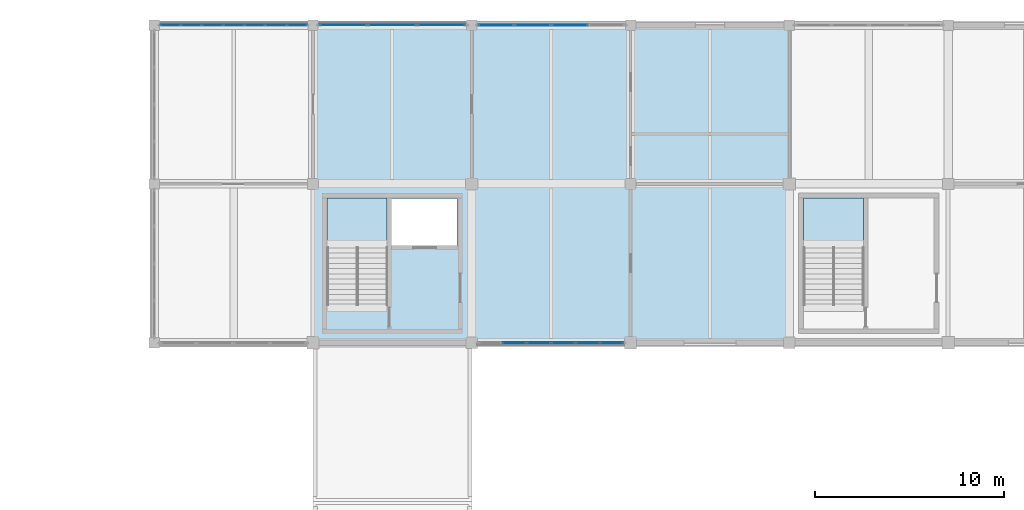
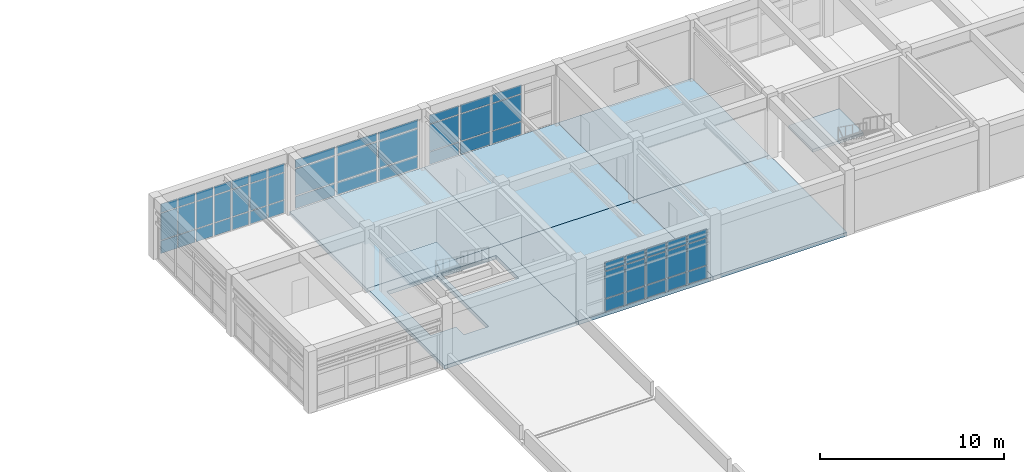
# One storey, part 12 of 18: 54 plates, 8 slabs, 6 elements without a shape of their own.
"""IFC4 building model written with IfcOpenShell, lengths in metres."""

import ifcopenshell
import ifcopenshell.guid

model = None  # the IFC model being written
_history = None  # IfcOwnerHistory: only IFC2X3 demands one
_inside = {}  # id of a spatial element -> (the spatial element, [elements in it])
_under = {}  # id of a project, library or spatial element -> (it, [spatial elements below it])
_declared = {}  # id of a project -> (the project, [libraries it declares])
_typed = {}  # id of a type object -> (the type object, [elements of that type])
_made_of = {}  # id of a material, layer set ... -> (it, [elements and type objects made of it])


def new_model(schema):
    """Start an empty IFC model of exactly this schema.

    Asked for "IFC4X3", IfcOpenShell would pick the latest addendum, in which some entities
    have other attributes; the version numbers below select the first issue.
    IFC2X3 requires an IfcOwnerHistory on every rooted entity: one is made here for all.
    """
    global model, _history
    if schema == "IFC4X3":
        model = ifcopenshell.file(schema_version=(4, 3, 0, 0))
    else:
        model = ifcopenshell.file(schema=schema)
    _inside.clear()
    _under.clear()
    _declared.clear()
    _typed.clear()
    _made_of.clear()
    _history = None
    if model.schema == "IFC2X3":
        org = make("IfcOrganization", Name="unknown")
        user = make(
            "IfcPersonAndOrganization",
            ThePerson=make("IfcPerson", FamilyName="unknown"),
            TheOrganization=org,
        )
        app = make(
            "IfcApplication",
            ApplicationDeveloper=org,
            Version="unknown",
            ApplicationFullName="unknown",
            ApplicationIdentifier="unknown",
        )
        _history = make(
            "IfcOwnerHistory",
            OwningUser=user,
            OwningApplication=app,
            ChangeAction="ADDED",
            CreationDate=0,
        )
    return model


def make(cls, **values):
    """One entity of the class cls with the attributes given. An attribute that is None is left unset."""
    return model.create_entity(
        cls, **{name: value for name, value in values.items() if value is not None}
    )


def rooted(cls, **values):
    """An entity with a GlobalId (a new one), such as an element, a storey or a relation."""
    return make(cls, GlobalId=ifcopenshell.guid.new(), OwnerHistory=_history, **values)


def si_unit(unit_type, name, prefix=None):
    """IfcSIUnit, for example si_unit("LENGTHUNIT", "METRE", prefix="MILLI")."""
    return make("IfcSIUnit", UnitType=unit_type, Prefix=prefix, Name=name)


def assignment(units):
    """IfcUnitAssignment: the units of a project."""
    return None if units is None else make("IfcUnitAssignment", Units=units)


def point(xyz):
    """IfcCartesianPoint."""
    return None if xyz is None else make("IfcCartesianPoint", Coordinates=xyz)


def direction(xyz):
    """IfcDirection."""
    return None if xyz is None else make("IfcDirection", DirectionRatios=xyz)


def frame(location, z_axis=None, x_axis=None):
    """IfcAxis2Placement3D, a coordinate frame: its origin and axes. An axis left out is left unset."""
    return make(
        "IfcAxis2Placement3D",
        Location=point(location),
        Axis=direction(z_axis),
        RefDirection=direction(x_axis),
    )


def frame_2d(location, x_axis=None):
    """IfcAxis2Placement2D, a coordinate frame in the plane: its origin and x axis."""
    return make(
        "IfcAxis2Placement2D", Location=point(location), RefDirection=direction(x_axis)
    )


def origin():
    """The frame at (0, 0, 0) with its axes left unset."""
    return frame((0.0, 0.0, 0.0))


def origin_2d():
    """The frame at (0, 0) in the plane with its x axis left unset."""
    return frame_2d((0.0, 0.0))


def place(relative_to, where):
    """IfcLocalPlacement: puts the frame where relative to a parent placement (None: the world)."""
    return make(
        "IfcLocalPlacement", PlacementRelTo=relative_to, RelativePlacement=where
    )


def context(
    kind, dimensions, precision=None, world=None, true_north=None, identifier=None
):
    """IfcGeometricRepresentationContext, for example the 3D "Model" context."""
    return make(
        "IfcGeometricRepresentationContext",
        ContextIdentifier=identifier,
        ContextType=kind,
        CoordinateSpaceDimension=dimensions,
        Precision=precision,
        WorldCoordinateSystem=world,
        TrueNorth=true_north,
    )


def subcontext(parent, identifier, kind, view, scale=None):
    """IfcGeometricRepresentationSubContext, for example "Body" below "Model"."""
    return make(
        "IfcGeometricRepresentationSubContext",
        ContextIdentifier=identifier,
        ContextType=kind,
        ParentContext=parent,
        TargetScale=scale,
        TargetView=view,
    )


def project(units=None, contexts=None):
    """IfcProject with its units and contexts."""
    return rooted(
        "IfcProject",
        Name="project",
        RepresentationContexts=contexts,
        UnitsInContext=assignment(units),
    )


def spatial(cls, under=None, at=None, **own):
    """A site, building, storey or space (cls), placed at a placement, below another one or the project."""
    s = rooted(cls, ObjectPlacement=at, **own)
    if under is not None:
        _under.setdefault(under.id(), (under, []))[1].append(s)
    return s


def polyline(points):
    """IfcPolyline through the points."""
    return make("IfcPolyline", Points=[point(p) for p in points])


def profile(cls, at=None, kind="AREA", **sizes):
    """A parametric profile (cls). Its sizes go by their IFC names, for example OverallWidth=200.0."""
    return make(cls, ProfileType=kind, Position=at, **sizes)


def rectangle(**sizes):
    """IfcRectangleProfileDef."""
    return profile("IfcRectangleProfileDef", **sizes)


def outline(outer, holes=None, kind="AREA"):
    """IfcArbitraryClosedProfileDef: a profile drawn as a closed curve; with holes, ...WithVoids."""
    if holes is None:
        return make("IfcArbitraryClosedProfileDef", ProfileType=kind, OuterCurve=outer)
    return make(
        "IfcArbitraryProfileDefWithVoids",
        ProfileType=kind,
        OuterCurve=outer,
        InnerCurves=holes,
    )


def extrude(swept, where, along, depth):
    """IfcExtrudedAreaSolid: the profile swept, set in the frame where, extruded along a direction by depth."""
    return make(
        "IfcExtrudedAreaSolid",
        SweptArea=swept,
        Position=where,
        ExtrudedDirection=direction(along),
        Depth=depth,
    )


def shape(context_of_items, identifier, shape_type, items):
    """IfcShapeRepresentation: the items that make up one representation, for example the "Body"."""
    return make(
        "IfcShapeRepresentation",
        ContextOfItems=context_of_items,
        RepresentationIdentifier=identifier,
        RepresentationType=shape_type,
        Items=items,
    )


def material(Name=None, Category=None):
    """IfcMaterial."""
    return make("IfcMaterial", Name=Name, Category=Category)


def layer(
    of_material, thickness, ventilated=None, Name=None, Category=None, Priority=None
):
    """IfcMaterialLayer: one layer of a wall or slab, of a material (None: an air gap)."""
    return make(
        "IfcMaterialLayer",
        Material=of_material,
        LayerThickness=thickness,
        IsVentilated=ventilated,
        Name=Name,
        Category=Category,
        Priority=Priority,
    )


def layer_set(layers, Name=None):
    """IfcMaterialLayerSet."""
    return make("IfcMaterialLayerSet", MaterialLayers=layers, LayerSetName=Name)


def made_of(thing, what):
    """Note that an element or type object is made of a material, layer set ...; save() writes the relation."""
    if what is not None:
        _made_of.setdefault(what.id(), (what, []))[1].append(thing)
    return thing


def type_object(cls, material=None, **own):
    """A type object (cls), such as IfcWallType, which elements share."""
    return made_of(rooted(cls, **own), material)


def element(
    cls,
    number,
    at=None,
    inside=None,
    cuts=None,
    type_object=None,
    material=None,
    context=None,
    identifier="Body",
    shape_type=None,
    held_by="IfcProductDefinitionShape",
    body=None,
    shapes=None,
    **own,
):
    """One element of the class cls, such as IfcWall. Its Tag is "e" and its number.

    at: its placement. inside: the storey or other place that contains it. cuts: it is an
    opening in that element (IfcRelVoidsElement). A single representation is given by context,
    identifier, shape_type and body (its items); several are given by shapes. held_by: the class
    of the entity that holds the representations. save() writes the other relations.
    """
    e = rooted(cls, Tag="e%d" % number, ObjectPlacement=at, **own)
    if body is not None:
        shapes = [shape(context, identifier, shape_type, body)]
    if shapes is not None:
        e.Representation = make(held_by, Representations=shapes)
    if inside is not None:
        _inside.setdefault(inside.id(), (inside, []))[1].append(e)
    if cuts is not None:
        rooted(
            "IfcRelVoidsElement", RelatingBuildingElement=cuts, RelatedOpeningElement=e
        )
    if type_object is not None:
        _typed.setdefault(type_object.id(), (type_object, []))[1].append(e)
    return made_of(e, material)


def aggregate(whole, parts):
    """IfcRelAggregates: a whole, such as a stair, and the parts it consists of."""
    return rooted("IfcRelAggregates", RelatingObject=whole, RelatedObjects=parts)


def save(model, path):
    """Write the relations noted so far, then the file.

    IfcRelAggregates (storeys below a building ...), IfcRelContainedInSpatialStructure (elements
    in a storey), IfcRelDefinesByType, IfcRelAssociatesMaterial and IfcRelDeclares: one each for
    every whole, place, type object, material and project.
    """
    for whole, parts in _under.values():
        aggregate(whole, parts)
    for where, things in _inside.values():
        rooted(
            "IfcRelContainedInSpatialStructure",
            RelatedElements=things,
            RelatingStructure=where,
        )
    for kind, things in _typed.values():
        rooted("IfcRelDefinesByType", RelatedObjects=things, RelatingType=kind)
    for what, things in _made_of.values():
        rooted("IfcRelAssociatesMaterial", RelatedObjects=things, RelatingMaterial=what)
    for by, libraries in _declared.values():
        rooted("IfcRelDeclares", RelatingContext=by, RelatedDefinitions=libraries)
    model.write(path)


model = new_model("IFC4")

# Units and contexts
model_context = context("Model", 3, precision=1e-05, world=origin(), true_north=direction((0.0, 1.0)))
body_context = subcontext(model_context, "Body", "Model", "MODEL_VIEW")
ifc_project = project(units=[si_unit("LENGTHUNIT", "METRE"), si_unit("AREAUNIT", "SQUARE_METRE"), si_unit("VOLUMEUNIT", "CUBIC_METRE"), si_unit("PLANEANGLEUNIT", "RADIAN"), si_unit("MASSUNIT", "GRAM", prefix="KILO")], contexts=[model_context])

# Site, building, storey
site_placement = place(None, origin())
site = spatial("IfcSite", under=ifc_project, at=site_placement, CompositionType="ELEMENT")
building_placement = place(site_placement, origin())
building = spatial("IfcBuilding", under=site, at=building_placement, Name="Porcellanite Civic Hall", CompositionType="ELEMENT")
storey_placement = place(building_placement, frame((0.0, 0.0, 23.39990234375)))
storey = spatial("IfcBuildingStorey", under=building, at=storey_placement, Name="L05", CompositionType="ELEMENT", Elevation=23.39990234375)

# Curtain wall, plates
ifc_material_1 = material(Name="Anodised aluminium and solar laminated glass", Category="aluminium")
ifc_layer_1 = layer(ifc_material_1, 0.179931640625)
ifc_layer_set_1 = layer_set([ifc_layer_1], Name="Anodised aluminium and solar laminated glass")
curtain_wall_type_1 = type_object("IfcCurtainWallType", Name="CW-SYS07", PredefinedType="NOTDEFINED", material=ifc_layer_set_1)
curtain_wall_1_placement = place(storey_placement, origin())
curtain_wall_1 = element("IfcCurtainWall", 1, at=curtain_wall_1_placement, inside=storey, type_object=curtain_wall_type_1, Name="Curtain wall CW-261", PredefinedType="NOTDEFINED")
ifc_material_2 = material(Name="Cyclone laminated solar-control low-E glass", Category="glass")
ifc_layer_2 = layer(ifc_material_2, 0.02587890625)
ifc_layer_set_2 = layer_set([ifc_layer_2], Name="Cyclone laminated solar-control low-E glass")
plate_type_1 = type_object("IfcPlateType", Name="CWP-02", PredefinedType="CURTAIN_PANEL", material=ifc_layer_set_2)
plate_1_placement = place(storey_placement, frame((42.8515625, 117.60009765625, 0.05029296875), z_axis=(0.0, 0.0, 1.0), x_axis=(1.0, 0.0, 0.0)))
plate_1 = element("IfcPlate", 2, at=plate_1_placement, type_object=plate_type_1, Name="CW-261 panel 1.1", PredefinedType="CURTAIN_PANEL", context=body_context, shape_type="SweptSolid", body=[
    extrude(rectangle(XDim=1.03125, YDim=0.02587890625, at=origin_2d()), origin(), (0.0, 0.0, 1.0), 0.824951171875),
])
plate_2_placement = place(storey_placement, frame((42.8515625, 117.60009765625, 0.925048828125), z_axis=(0.0, 0.0, 1.0), x_axis=(1.0, 0.0, 0.0)))
plate_2 = element("IfcPlate", 3, at=plate_2_placement, type_object=plate_type_1, Name="CW-261 panel 1.2", PredefinedType="CURTAIN_PANEL", context=body_context, shape_type="SweptSolid", body=[
    extrude(rectangle(XDim=1.03125, YDim=0.02587890625, at=origin_2d()), origin(), (0.0, 0.0, 1.0), 1.77001953125),
])
plate_3_placement = place(storey_placement, frame((42.8515625, 117.60009765625, 2.7451171875), z_axis=(0.0, 0.0, 1.0), x_axis=(1.0, 0.0, 0.0)))
plate_3 = element("IfcPlate", 4, at=plate_3_placement, type_object=plate_type_1, Name="CW-261 panel 1.3", PredefinedType="CURTAIN_PANEL", context=body_context, shape_type="SweptSolid", body=[
    extrude(rectangle(XDim=1.03125, YDim=0.02587890625, at=origin_2d()), origin(), (0.0, 0.0, 1.0), 0.574951171875),
])
plate_4_placement = place(storey_placement, frame((43.957763671875, 117.60009765625, 0.05029296875), z_axis=(0.0, 0.0, 1.0), x_axis=(1.0, 0.0, 0.0)))
plate_4 = element("IfcPlate", 5, at=plate_4_placement, type_object=plate_type_1, Name="CW-261 panel 2.1", PredefinedType="CURTAIN_PANEL", context=body_context, shape_type="SweptSolid", body=[
    extrude(rectangle(XDim=1.06103515625, YDim=0.02587890625, at=origin_2d()), origin(), (0.0, 0.0, 1.0), 0.824951171875),
])
plate_5_placement = place(storey_placement, frame((43.957763671875, 117.60009765625, 0.925048828125), z_axis=(0.0, 0.0, 1.0), x_axis=(1.0, 0.0, 0.0)))
plate_5 = element("IfcPlate", 6, at=plate_5_placement, type_object=plate_type_1, Name="CW-261 panel 2.2", PredefinedType="CURTAIN_PANEL", context=body_context, shape_type="SweptSolid", body=[
    extrude(rectangle(XDim=1.06103515625, YDim=0.02587890625, at=origin_2d()), origin(), (0.0, 0.0, 1.0), 1.77001953125),
])
plate_6_placement = place(storey_placement, frame((43.957763671875, 117.60009765625, 2.7451171875), z_axis=(0.0, 0.0, 1.0), x_axis=(1.0, 0.0, 0.0)))
plate_6 = element("IfcPlate", 7, at=plate_6_placement, type_object=plate_type_1, Name="CW-261 panel 2.3", PredefinedType="CURTAIN_PANEL", context=body_context, shape_type="SweptSolid", body=[
    extrude(rectangle(XDim=1.06103515625, YDim=0.02587890625, at=origin_2d()), origin(), (0.0, 0.0, 1.0), 0.574951171875),
])
plate_7_placement = place(storey_placement, frame((45.078857421875, 117.60009765625, 0.05029296875), z_axis=(0.0, 0.0, 1.0), x_axis=(1.0, 0.0, 0.0)))
plate_7 = element("IfcPlate", 8, at=plate_7_placement, type_object=plate_type_1, Name="CW-261 panel 3.1", PredefinedType="CURTAIN_PANEL", context=body_context, shape_type="SweptSolid", body=[
    extrude(rectangle(XDim=1.06103515625, YDim=0.02587890625, at=origin_2d()), origin(), (0.0, 0.0, 1.0), 0.824951171875),
])
plate_8_placement = place(storey_placement, frame((45.078857421875, 117.60009765625, 0.925048828125), z_axis=(0.0, 0.0, 1.0), x_axis=(1.0, 0.0, 0.0)))
plate_8 = element("IfcPlate", 9, at=plate_8_placement, type_object=plate_type_1, Name="CW-261 panel 3.2", PredefinedType="CURTAIN_PANEL", context=body_context, shape_type="SweptSolid", body=[
    extrude(rectangle(XDim=1.06103515625, YDim=0.02587890625, at=origin_2d()), origin(), (0.0, 0.0, 1.0), 1.77001953125),
])
plate_9_placement = place(storey_placement, frame((45.078857421875, 117.60009765625, 2.7451171875), z_axis=(0.0, 0.0, 1.0), x_axis=(1.0, 0.0, 0.0)))
plate_9 = element("IfcPlate", 10, at=plate_9_placement, type_object=plate_type_1, Name="CW-261 panel 3.3", PredefinedType="CURTAIN_PANEL", context=body_context, shape_type="SweptSolid", body=[
    extrude(rectangle(XDim=1.06103515625, YDim=0.02587890625, at=origin_2d()), origin(), (0.0, 0.0, 1.0), 0.574951171875),
])
plate_10_placement = place(storey_placement, frame((46.199951171875, 117.60009765625, 0.05029296875), z_axis=(0.0, 0.0, 1.0), x_axis=(1.0, 0.0, 0.0)))
plate_10 = element("IfcPlate", 11, at=plate_10_placement, type_object=plate_type_1, Name="CW-261 panel 4.1", PredefinedType="CURTAIN_PANEL", context=body_context, shape_type="SweptSolid", body=[
    extrude(rectangle(XDim=1.06103515625, YDim=0.02587890625, at=origin_2d()), origin(), (0.0, 0.0, 1.0), 0.824951171875),
])
plate_11_placement = place(storey_placement, frame((46.199951171875, 117.60009765625, 0.925048828125), z_axis=(0.0, 0.0, 1.0), x_axis=(1.0, 0.0, 0.0)))
plate_11 = element("IfcPlate", 12, at=plate_11_placement, type_object=plate_type_1, Name="CW-261 panel 4.2", PredefinedType="CURTAIN_PANEL", context=body_context, shape_type="SweptSolid", body=[
    extrude(rectangle(XDim=1.06103515625, YDim=0.02587890625, at=origin_2d()), origin(), (0.0, 0.0, 1.0), 1.77001953125),
])
plate_12_placement = place(storey_placement, frame((46.199951171875, 117.60009765625, 2.7451171875), z_axis=(0.0, 0.0, 1.0), x_axis=(1.0, 0.0, 0.0)))
plate_12 = element("IfcPlate", 13, at=plate_12_placement, type_object=plate_type_1, Name="CW-261 panel 4.3", PredefinedType="CURTAIN_PANEL", context=body_context, shape_type="SweptSolid", body=[
    extrude(rectangle(XDim=1.06103515625, YDim=0.02587890625, at=origin_2d()), origin(), (0.0, 0.0, 1.0), 0.574951171875),
])
plate_13_placement = place(storey_placement, frame((47.321044921875, 117.60009765625, 0.05029296875), z_axis=(0.0, 0.0, 1.0), x_axis=(1.0, 0.0, 0.0)))
plate_13 = element("IfcPlate", 14, at=plate_13_placement, type_object=plate_type_1, Name="CW-261 panel 5.1", PredefinedType="CURTAIN_PANEL", context=body_context, shape_type="SweptSolid", body=[
    extrude(rectangle(XDim=1.06103515625, YDim=0.02587890625, at=origin_2d()), origin(), (0.0, 0.0, 1.0), 0.824951171875),
])
plate_14_placement = place(storey_placement, frame((47.321044921875, 117.60009765625, 0.925048828125), z_axis=(0.0, 0.0, 1.0), x_axis=(1.0, 0.0, 0.0)))
plate_14 = element("IfcPlate", 15, at=plate_14_placement, type_object=plate_type_1, Name="CW-261 panel 5.2", PredefinedType="CURTAIN_PANEL", context=body_context, shape_type="SweptSolid", body=[
    extrude(rectangle(XDim=1.06103515625, YDim=0.02587890625, at=origin_2d()), origin(), (0.0, 0.0, 1.0), 1.77001953125),
])
plate_15_placement = place(storey_placement, frame((47.321044921875, 117.60009765625, 2.7451171875), z_axis=(0.0, 0.0, 1.0), x_axis=(1.0, 0.0, 0.0)))
plate_15 = element("IfcPlate", 16, at=plate_15_placement, type_object=plate_type_1, Name="CW-261 panel 5.3", PredefinedType="CURTAIN_PANEL", context=body_context, shape_type="SweptSolid", body=[
    extrude(rectangle(XDim=1.06103515625, YDim=0.02587890625, at=origin_2d()), origin(), (0.0, 0.0, 1.0), 0.574951171875),
])
plate_16_placement = place(storey_placement, frame((48.4423828125, 117.60009765625, 0.05029296875), z_axis=(0.0, 0.0, 1.0), x_axis=(1.0, 0.0, 0.0)))
plate_16 = element("IfcPlate", 17, at=plate_16_placement, type_object=plate_type_1, Name="CW-261 panel 6.1", PredefinedType="CURTAIN_PANEL", context=body_context, shape_type="SweptSolid", body=[
    extrude(rectangle(XDim=1.06103515625, YDim=0.02587890625, at=origin_2d()), origin(), (0.0, 0.0, 1.0), 0.824951171875),
])
plate_17_placement = place(storey_placement, frame((48.4423828125, 117.60009765625, 0.925048828125), z_axis=(0.0, 0.0, 1.0), x_axis=(1.0, 0.0, 0.0)))
plate_17 = element("IfcPlate", 18, at=plate_17_placement, type_object=plate_type_1, Name="CW-261 panel 6.2", PredefinedType="CURTAIN_PANEL", context=body_context, shape_type="SweptSolid", body=[
    extrude(rectangle(XDim=1.06103515625, YDim=0.02587890625, at=origin_2d()), origin(), (0.0, 0.0, 1.0), 1.77001953125),
])
plate_18_placement = place(storey_placement, frame((48.4423828125, 117.60009765625, 2.7451171875), z_axis=(0.0, 0.0, 1.0), x_axis=(1.0, 0.0, 0.0)))
plate_18 = element("IfcPlate", 19, at=plate_18_placement, type_object=plate_type_1, Name="CW-261 panel 6.3", PredefinedType="CURTAIN_PANEL", context=body_context, shape_type="SweptSolid", body=[
    extrude(rectangle(XDim=1.06103515625, YDim=0.02587890625, at=origin_2d()), origin(), (0.0, 0.0, 1.0), 0.574951171875),
])
plate_19_placement = place(storey_placement, frame((49.54833984375, 117.60009765625, 0.05029296875), z_axis=(0.0, 0.0, 1.0), x_axis=(1.0, 0.0, 0.0)))
plate_19 = element("IfcPlate", 20, at=plate_19_placement, type_object=plate_type_1, Name="CW-261 panel 7.1", PredefinedType="CURTAIN_PANEL", context=body_context, shape_type="SweptSolid", body=[
    extrude(rectangle(XDim=1.03125, YDim=0.02587890625, at=origin_2d()), origin(), (0.0, 0.0, 1.0), 0.824951171875),
])
plate_20_placement = place(storey_placement, frame((49.54833984375, 117.60009765625, 0.925048828125), z_axis=(0.0, 0.0, 1.0), x_axis=(1.0, 0.0, 0.0)))
plate_20 = element("IfcPlate", 21, at=plate_20_placement, type_object=plate_type_1, Name="CW-261 panel 7.2", PredefinedType="CURTAIN_PANEL", context=body_context, shape_type="SweptSolid", body=[
    extrude(rectangle(XDim=1.03125, YDim=0.02587890625, at=origin_2d()), origin(), (0.0, 0.0, 1.0), 1.77001953125),
])
plate_21_placement = place(storey_placement, frame((49.54833984375, 117.60009765625, 2.7451171875), z_axis=(0.0, 0.0, 1.0), x_axis=(1.0, 0.0, 0.0)))
plate_21 = element("IfcPlate", 22, at=plate_21_placement, type_object=plate_type_1, Name="CW-261 panel 7.3", PredefinedType="CURTAIN_PANEL", context=body_context, shape_type="SweptSolid", body=[
    extrude(rectangle(XDim=1.03125, YDim=0.02587890625, at=origin_2d()), origin(), (0.0, 0.0, 1.0), 0.574951171875),
])
aggregate(curtain_wall_1, [plate_1, plate_2, plate_3, plate_4, plate_5, plate_6, plate_7, plate_8, plate_9, plate_10, plate_11, plate_12, plate_13, plate_14, plate_15, plate_16, plate_17, plate_18, plate_19, plate_20, plate_21])

ifc_material_3 = material(Name="Anodised aluminium and solar laminated glass", Category="aluminium")
ifc_layer_3 = layer(ifc_material_3, 0.179931640625)
ifc_layer_set_3 = layer_set([ifc_layer_3], Name="Anodised aluminium and solar laminated glass")
curtain_wall_type_2 = type_object("IfcCurtainWallType", Name="CW-SYS08", PredefinedType="NOTDEFINED", material=ifc_layer_set_3)
curtain_wall_2_placement = place(storey_placement, origin())
curtain_wall_2 = element("IfcCurtainWall", 23, at=curtain_wall_2_placement, inside=storey, type_object=curtain_wall_type_2, Name="Curtain wall CW-262", PredefinedType="NOTDEFINED")
ifc_material_4 = material(Name="Cyclone laminated solar-control low-E glass", Category="glass")
ifc_layer_4 = layer(ifc_material_4, 0.028076171875)
ifc_layer_set_4 = layer_set([ifc_layer_4], Name="Cyclone laminated solar-control low-E glass")
plate_type_2 = type_object("IfcPlateType", Name="CWP-03", PredefinedType="CURTAIN_PANEL", material=ifc_layer_set_4)
plate_22_placement = place(storey_placement, frame((52.00390625, 117.60009765625, 0.070068359375), z_axis=(0.0, 0.0, 1.0), x_axis=(1.0, 0.0, 0.0)))
plate_22 = element("IfcPlate", 24, at=plate_22_placement, type_object=plate_type_2, Name="CW-262 panel 1.1", PredefinedType="CURTAIN_PANEL", context=body_context, shape_type="SweptSolid", body=[
    extrude(rectangle(XDim=2.49609375, YDim=0.028076171875, at=origin_2d()), origin(), (0.0, 0.0, 1.0), 0.794921875),
])
plate_23_placement = place(storey_placement, frame((52.00390625, 117.60009765625, 0.93505859375), z_axis=(0.0, 0.0, 1.0), x_axis=(1.0, 0.0, 0.0)))
plate_23 = element("IfcPlate", 25, at=plate_23_placement, type_object=plate_type_2, Name="CW-262 panel 1.2", PredefinedType="CURTAIN_PANEL", context=body_context, shape_type="SweptSolid", body=[
    extrude(rectangle(XDim=2.49609375, YDim=0.028076171875, at=origin_2d()), origin(), (0.0, 0.0, 1.0), 1.75),
])
plate_24_placement = place(storey_placement, frame((52.00390625, 117.60009765625, 2.755126953125), z_axis=(0.0, 0.0, 1.0), x_axis=(1.0, 0.0, 0.0)))
plate_24 = element("IfcPlate", 26, at=plate_24_placement, type_object=plate_type_2, Name="CW-262 panel 1.3", PredefinedType="CURTAIN_PANEL", context=body_context, shape_type="SweptSolid", body=[
    extrude(rectangle(XDim=2.49609375, YDim=0.028076171875, at=origin_2d()), origin(), (0.0, 0.0, 1.0), 0.544921875),
])
plate_25_placement = place(storey_placement, frame((54.60009765625, 117.60009765625, 0.070068359375), z_axis=(0.0, 0.0, 1.0), x_axis=(1.0, 0.0, 0.0)))
plate_25 = element("IfcPlate", 27, at=plate_25_placement, type_object=plate_type_2, Name="CW-262 panel 2.1", PredefinedType="CURTAIN_PANEL", context=body_context, shape_type="SweptSolid", body=[
    extrude(rectangle(XDim=2.535888671875, YDim=0.028076171875, at=origin_2d()), origin(), (0.0, 0.0, 1.0), 0.794921875),
])
plate_26_placement = place(storey_placement, frame((54.60009765625, 117.60009765625, 0.93505859375), z_axis=(0.0, 0.0, 1.0), x_axis=(1.0, 0.0, 0.0)))
plate_26 = element("IfcPlate", 28, at=plate_26_placement, type_object=plate_type_2, Name="CW-262 panel 2.2", PredefinedType="CURTAIN_PANEL", context=body_context, shape_type="SweptSolid", body=[
    extrude(rectangle(XDim=2.535888671875, YDim=0.028076171875, at=origin_2d()), origin(), (0.0, 0.0, 1.0), 1.75),
])
plate_27_placement = place(storey_placement, frame((54.60009765625, 117.60009765625, 2.755126953125), z_axis=(0.0, 0.0, 1.0), x_axis=(1.0, 0.0, 0.0)))
plate_27 = element("IfcPlate", 29, at=plate_27_placement, type_object=plate_type_2, Name="CW-262 panel 2.3", PredefinedType="CURTAIN_PANEL", context=body_context, shape_type="SweptSolid", body=[
    extrude(rectangle(XDim=2.535888671875, YDim=0.028076171875, at=origin_2d()), origin(), (0.0, 0.0, 1.0), 0.544921875),
])
plate_28_placement = place(storey_placement, frame((57.196044921875, 117.60009765625, 0.070068359375), z_axis=(0.0, 0.0, 1.0), x_axis=(1.0, 0.0, 0.0)))
plate_28 = element("IfcPlate", 30, at=plate_28_placement, type_object=plate_type_2, Name="CW-262 panel 3.1", PredefinedType="CURTAIN_PANEL", context=body_context, shape_type="SweptSolid", body=[
    extrude(rectangle(XDim=2.49609375, YDim=0.028076171875, at=origin_2d()), origin(), (0.0, 0.0, 1.0), 0.794921875),
])
plate_29_placement = place(storey_placement, frame((57.196044921875, 117.60009765625, 0.93505859375), z_axis=(0.0, 0.0, 1.0), x_axis=(1.0, 0.0, 0.0)))
plate_29 = element("IfcPlate", 31, at=plate_29_placement, type_object=plate_type_2, Name="CW-262 panel 3.2", PredefinedType="CURTAIN_PANEL", context=body_context, shape_type="SweptSolid", body=[
    extrude(rectangle(XDim=2.49609375, YDim=0.028076171875, at=origin_2d()), origin(), (0.0, 0.0, 1.0), 1.75),
])
plate_30_placement = place(storey_placement, frame((57.196044921875, 117.60009765625, 2.755126953125), z_axis=(0.0, 0.0, 1.0), x_axis=(1.0, 0.0, 0.0)))
plate_30 = element("IfcPlate", 32, at=plate_30_placement, type_object=plate_type_2, Name="CW-262 panel 3.3", PredefinedType="CURTAIN_PANEL", context=body_context, shape_type="SweptSolid", body=[
    extrude(rectangle(XDim=2.49609375, YDim=0.028076171875, at=origin_2d()), origin(), (0.0, 0.0, 1.0), 0.544921875),
])
aggregate(curtain_wall_2, [plate_22, plate_23, plate_24, plate_25, plate_26, plate_27, plate_28, plate_29, plate_30])

ifc_material_5 = material(Name="Anodised aluminium and solar laminated glass", Category="aluminium")
ifc_layer_5 = layer(ifc_material_5, 0.179931640625)
ifc_layer_set_5 = layer_set([ifc_layer_5], Name="Anodised aluminium and solar laminated glass")
curtain_wall_type_3 = type_object("IfcCurtainWallType", Name="CW-SYS01", PredefinedType="NOTDEFINED", material=ifc_layer_set_5)
curtain_wall_3_placement = place(storey_placement, origin())
curtain_wall_3 = element("IfcCurtainWall", 33, at=curtain_wall_3_placement, inside=storey, type_object=curtain_wall_type_3, Name="Curtain wall CW-263", PredefinedType="NOTDEFINED")
ifc_material_6 = material(Name="Cyclone laminated solar-control low-E glass", Category="glass")
ifc_layer_6 = layer(ifc_material_6, 0.030029296875)
ifc_layer_set_6 = layer_set([ifc_layer_6], Name="Cyclone laminated solar-control low-E glass")
plate_type_3 = type_object("IfcPlateType", Name="CWP-04", PredefinedType="CURTAIN_PANEL", material=ifc_layer_set_6)
plate_31_placement = place(storey_placement, frame((66.208740234375, 100.800048828125, 0.06005859375), z_axis=(0.0, 0.0, 1.0), x_axis=(-1.0, 0.0, 0.0)))
plate_31 = element("IfcPlate", 34, at=plate_31_placement, type_object=plate_type_3, Name="CW-263 panel 1.1", PredefinedType="CURTAIN_PANEL", context=body_context, shape_type="SweptSolid", body=[
    extrude(rectangle(XDim=1.1904296875, YDim=0.030029296875, at=origin_2d()), origin(), (0.0, 0.0, 1.0), 0.81005859375),
])
plate_32_placement = place(storey_placement, frame((66.208740234375, 100.800048828125, 0.93017578125), z_axis=(0.0, 0.0, 1.0), x_axis=(-1.0, 0.0, 0.0)))
plate_32 = element("IfcPlate", 35, at=plate_32_placement, type_object=plate_type_3, Name="CW-263 panel 1.2", PredefinedType="CURTAIN_PANEL", context=body_context, shape_type="SweptSolid", body=[
    extrude(rectangle(XDim=1.1904296875, YDim=0.030029296875, at=origin_2d()), origin(), (0.0, 0.0, 1.0), 1.760009765625),
])
plate_33_placement = place(storey_placement, frame((66.208740234375, 100.800048828125, 2.75), z_axis=(0.0, 0.0, 1.0), x_axis=(-1.0, 0.0, 0.0)))
plate_33 = element("IfcPlate", 36, at=plate_33_placement, type_object=plate_type_3, Name="CW-263 panel 1.3", PredefinedType="CURTAIN_PANEL", context=body_context, shape_type="SweptSolid", body=[
    extrude(rectangle(XDim=1.1904296875, YDim=0.030029296875, at=origin_2d()), origin(), (0.0, 0.0, 1.0), 0.56005859375),
])
plate_34_placement = place(storey_placement, frame((64.9306640625, 100.800048828125, 0.06005859375), z_axis=(0.0, 0.0, 1.0), x_axis=(-1.0, 0.0, 0.0)))
plate_34 = element("IfcPlate", 37, at=plate_34_placement, type_object=plate_type_3, Name="CW-263 panel 2.1", PredefinedType="CURTAIN_PANEL", context=body_context, shape_type="SweptSolid", body=[
    extrude(rectangle(XDim=1.2255859375, YDim=0.030029296875, at=origin_2d()), origin(), (0.0, 0.0, 1.0), 0.81005859375),
])
plate_35_placement = place(storey_placement, frame((64.9306640625, 100.800048828125, 0.93017578125), z_axis=(0.0, 0.0, 1.0), x_axis=(-1.0, 0.0, 0.0)))
plate_35 = element("IfcPlate", 38, at=plate_35_placement, type_object=plate_type_3, Name="CW-263 panel 2.2", PredefinedType="CURTAIN_PANEL", context=body_context, shape_type="SweptSolid", body=[
    extrude(rectangle(XDim=1.2255859375, YDim=0.030029296875, at=origin_2d()), origin(), (0.0, 0.0, 1.0), 1.760009765625),
])
plate_36_placement = place(storey_placement, frame((64.9306640625, 100.800048828125, 2.75), z_axis=(0.0, 0.0, 1.0), x_axis=(-1.0, 0.0, 0.0)))
plate_36 = element("IfcPlate", 39, at=plate_36_placement, type_object=plate_type_3, Name="CW-263 panel 2.3", PredefinedType="CURTAIN_PANEL", context=body_context, shape_type="SweptSolid", body=[
    extrude(rectangle(XDim=1.2255859375, YDim=0.030029296875, at=origin_2d()), origin(), (0.0, 0.0, 1.0), 0.56005859375),
])
plate_37_placement = place(storey_placement, frame((63.63525390625, 100.800048828125, 0.06005859375), z_axis=(0.0, 0.0, 1.0), x_axis=(-1.0, 0.0, 0.0)))
plate_37 = element("IfcPlate", 40, at=plate_37_placement, type_object=plate_type_3, Name="CW-263 panel 3.1", PredefinedType="CURTAIN_PANEL", context=body_context, shape_type="SweptSolid", body=[
    extrude(rectangle(XDim=1.2255859375, YDim=0.030029296875, at=origin_2d()), origin(), (0.0, 0.0, 1.0), 0.81005859375),
])
plate_38_placement = place(storey_placement, frame((63.63525390625, 100.800048828125, 0.93017578125), z_axis=(0.0, 0.0, 1.0), x_axis=(-1.0, 0.0, 0.0)))
plate_38 = element("IfcPlate", 41, at=plate_38_placement, type_object=plate_type_3, Name="CW-263 panel 3.2", PredefinedType="CURTAIN_PANEL", context=body_context, shape_type="SweptSolid", body=[
    extrude(rectangle(XDim=1.2255859375, YDim=0.030029296875, at=origin_2d()), origin(), (0.0, 0.0, 1.0), 1.760009765625),
])
plate_39_placement = place(storey_placement, frame((63.63525390625, 100.800048828125, 2.75), z_axis=(0.0, 0.0, 1.0), x_axis=(-1.0, 0.0, 0.0)))
plate_39 = element("IfcPlate", 42, at=plate_39_placement, type_object=plate_type_3, Name="CW-263 panel 3.3", PredefinedType="CURTAIN_PANEL", context=body_context, shape_type="SweptSolid", body=[
    extrude(rectangle(XDim=1.2255859375, YDim=0.030029296875, at=origin_2d()), origin(), (0.0, 0.0, 1.0), 0.56005859375),
])
plate_40_placement = place(storey_placement, frame((62.33984375, 100.800048828125, 0.06005859375), z_axis=(0.0, 0.0, 1.0), x_axis=(-1.0, 0.0, 0.0)))
plate_40 = element("IfcPlate", 43, at=plate_40_placement, type_object=plate_type_3, Name="CW-263 panel 4.1", PredefinedType="CURTAIN_PANEL", context=body_context, shape_type="SweptSolid", body=[
    extrude(rectangle(XDim=1.2255859375, YDim=0.030029296875, at=origin_2d()), origin(), (0.0, 0.0, 1.0), 0.81005859375),
])
plate_41_placement = place(storey_placement, frame((62.33984375, 100.800048828125, 0.93017578125), z_axis=(0.0, 0.0, 1.0), x_axis=(-1.0, 0.0, 0.0)))
plate_41 = element("IfcPlate", 44, at=plate_41_placement, type_object=plate_type_3, Name="CW-263 panel 4.2", PredefinedType="CURTAIN_PANEL", context=body_context, shape_type="SweptSolid", body=[
    extrude(rectangle(XDim=1.2255859375, YDim=0.030029296875, at=origin_2d()), origin(), (0.0, 0.0, 1.0), 1.760009765625),
])
plate_42_placement = place(storey_placement, frame((62.33984375, 100.800048828125, 2.75), z_axis=(0.0, 0.0, 1.0), x_axis=(-1.0, 0.0, 0.0)))
plate_42 = element("IfcPlate", 45, at=plate_42_placement, type_object=plate_type_3, Name="CW-263 panel 4.3", PredefinedType="CURTAIN_PANEL", context=body_context, shape_type="SweptSolid", body=[
    extrude(rectangle(XDim=1.2255859375, YDim=0.030029296875, at=origin_2d()), origin(), (0.0, 0.0, 1.0), 0.56005859375),
])
plate_43_placement = place(storey_placement, frame((61.044189453125, 100.800048828125, 0.06005859375), z_axis=(0.0, 0.0, 1.0), x_axis=(-1.0, 0.0, 0.0)))
plate_43 = element("IfcPlate", 46, at=plate_43_placement, type_object=plate_type_3, Name="CW-263 panel 5.1", PredefinedType="CURTAIN_PANEL", context=body_context, shape_type="SweptSolid", body=[
    extrude(rectangle(XDim=1.2255859375, YDim=0.030029296875, at=origin_2d()), origin(), (0.0, 0.0, 1.0), 0.81005859375),
])
plate_44_placement = place(storey_placement, frame((61.044189453125, 100.800048828125, 0.93017578125), z_axis=(0.0, 0.0, 1.0), x_axis=(-1.0, 0.0, 0.0)))
plate_44 = element("IfcPlate", 47, at=plate_44_placement, type_object=plate_type_3, Name="CW-263 panel 5.2", PredefinedType="CURTAIN_PANEL", context=body_context, shape_type="SweptSolid", body=[
    extrude(rectangle(XDim=1.2255859375, YDim=0.030029296875, at=origin_2d()), origin(), (0.0, 0.0, 1.0), 1.760009765625),
])
plate_45_placement = place(storey_placement, frame((61.044189453125, 100.800048828125, 2.75), z_axis=(0.0, 0.0, 1.0), x_axis=(-1.0, 0.0, 0.0)))
plate_45 = element("IfcPlate", 48, at=plate_45_placement, type_object=plate_type_3, Name="CW-263 panel 5.3", PredefinedType="CURTAIN_PANEL", context=body_context, shape_type="SweptSolid", body=[
    extrude(rectangle(XDim=1.2255859375, YDim=0.030029296875, at=origin_2d()), origin(), (0.0, 0.0, 1.0), 0.56005859375),
])
aggregate(curtain_wall_3, [plate_31, plate_32, plate_33, plate_34, plate_35, plate_36, plate_37, plate_38, plate_39, plate_40, plate_41, plate_42, plate_43, plate_44, plate_45])

ifc_material_7 = material(Name="Anodised aluminium and solar laminated glass", Category="aluminium")
ifc_layer_7 = layer(ifc_material_7, 0.179931640625)
ifc_layer_set_7 = layer_set([ifc_layer_7], Name="Anodised aluminium and solar laminated glass")
curtain_wall_type_4 = type_object("IfcCurtainWallType", Name="CW-SYS03", PredefinedType="NOTDEFINED", material=ifc_layer_set_7)
curtain_wall_4_placement = place(storey_placement, origin())
curtain_wall_4 = element("IfcCurtainWall", 49, at=curtain_wall_4_placement, inside=storey, type_object=curtain_wall_type_4, Name="Curtain wall CW-264", PredefinedType="NOTDEFINED")
ifc_material_8 = material(Name="Cyclone laminated solar-control low-E glass", Category="glass")
ifc_layer_8 = layer(ifc_material_8, 0.031982421875)
ifc_layer_set_8 = layer_set([ifc_layer_8], Name="Cyclone laminated solar-control low-E glass")
plate_type_4 = type_object("IfcPlateType", Name="CWP-05", PredefinedType="CURTAIN_PANEL", material=ifc_layer_set_8)
plate_46_placement = place(storey_placement, frame((60.076904296875, 117.60009765625, 0.05517578125), z_axis=(0.0, 0.0, 1.0), x_axis=(1.0, 0.0, 0.0)))
plate_46 = element("IfcPlate", 50, at=plate_46_placement, type_object=plate_type_4, Name="CW-264 panel 1.1", PredefinedType="CURTAIN_PANEL", context=body_context, shape_type="SweptSolid", body=[
    extrude(rectangle(XDim=1.842041015625, YDim=0.031982421875, at=origin_2d()), origin(), (0.0, 0.0, 1.0), 0.8173828125),
])
plate_47_placement = place(storey_placement, frame((60.076904296875, 117.60009765625, 0.927734375), z_axis=(0.0, 0.0, 1.0), x_axis=(1.0, 0.0, 0.0)))
plate_47 = element("IfcPlate", 51, at=plate_47_placement, type_object=plate_type_4, Name="CW-264 panel 1.2", PredefinedType="CURTAIN_PANEL", context=body_context, shape_type="SweptSolid", body=[
    extrude(rectangle(XDim=1.842041015625, YDim=0.031982421875, at=origin_2d()), origin(), (0.0, 0.0, 1.0), 1.764892578125),
])
plate_48_placement = place(storey_placement, frame((60.076904296875, 117.60009765625, 2.74755859375), z_axis=(0.0, 0.0, 1.0), x_axis=(1.0, 0.0, 0.0)))
plate_48 = element("IfcPlate", 52, at=plate_48_placement, type_object=plate_type_4, Name="CW-264 panel 1.3", PredefinedType="CURTAIN_PANEL", context=body_context, shape_type="SweptSolid", body=[
    extrude(rectangle(XDim=1.842041015625, YDim=0.031982421875, at=origin_2d()), origin(), (0.0, 0.0, 1.0), 0.5673828125),
])
plate_49_placement = place(storey_placement, frame((62.01904296875, 117.60009765625, 0.05517578125), z_axis=(0.0, 0.0, 1.0), x_axis=(1.0, 0.0, 0.0)))
plate_49 = element("IfcPlate", 53, at=plate_49_placement, type_object=plate_type_4, Name="CW-264 panel 2.1", PredefinedType="CURTAIN_PANEL", context=body_context, shape_type="SweptSolid", body=[
    extrude(rectangle(XDim=1.882080078125, YDim=0.031982421875, at=origin_2d()), origin(), (0.0, 0.0, 1.0), 0.8173828125),
])
plate_50_placement = place(storey_placement, frame((62.01904296875, 117.60009765625, 0.927734375), z_axis=(0.0, 0.0, 1.0), x_axis=(1.0, 0.0, 0.0)))
plate_50 = element("IfcPlate", 54, at=plate_50_placement, type_object=plate_type_4, Name="CW-264 panel 2.2", PredefinedType="CURTAIN_PANEL", context=body_context, shape_type="SweptSolid", body=[
    extrude(rectangle(XDim=1.882080078125, YDim=0.031982421875, at=origin_2d()), origin(), (0.0, 0.0, 1.0), 1.764892578125),
])
plate_51_placement = place(storey_placement, frame((62.01904296875, 117.60009765625, 2.74755859375), z_axis=(0.0, 0.0, 1.0), x_axis=(1.0, 0.0, 0.0)))
plate_51 = element("IfcPlate", 55, at=plate_51_placement, type_object=plate_type_4, Name="CW-264 panel 2.3", PredefinedType="CURTAIN_PANEL", context=body_context, shape_type="SweptSolid", body=[
    extrude(rectangle(XDim=1.882080078125, YDim=0.031982421875, at=origin_2d()), origin(), (0.0, 0.0, 1.0), 0.5673828125),
])
plate_52_placement = place(storey_placement, frame((63.98095703125, 117.60009765625, 0.05517578125), z_axis=(0.0, 0.0, 1.0), x_axis=(1.0, 0.0, 0.0)))
plate_52 = element("IfcPlate", 56, at=plate_52_placement, type_object=plate_type_4, Name="CW-264 panel 3.1", PredefinedType="CURTAIN_PANEL", context=body_context, shape_type="SweptSolid", body=[
    extrude(rectangle(XDim=1.882080078125, YDim=0.031982421875, at=origin_2d()), origin(), (0.0, 0.0, 1.0), 0.8173828125),
])
plate_53_placement = place(storey_placement, frame((63.98095703125, 117.60009765625, 0.927734375), z_axis=(0.0, 0.0, 1.0), x_axis=(1.0, 0.0, 0.0)))
plate_53 = element("IfcPlate", 57, at=plate_53_placement, type_object=plate_type_4, Name="CW-264 panel 3.2", PredefinedType="CURTAIN_PANEL", context=body_context, shape_type="SweptSolid", body=[
    extrude(rectangle(XDim=1.882080078125, YDim=0.031982421875, at=origin_2d()), origin(), (0.0, 0.0, 1.0), 1.764892578125),
])
plate_54_placement = place(storey_placement, frame((63.98095703125, 117.60009765625, 2.74755859375), z_axis=(0.0, 0.0, 1.0), x_axis=(1.0, 0.0, 0.0)))
plate_54 = element("IfcPlate", 58, at=plate_54_placement, type_object=plate_type_4, Name="CW-264 panel 3.3", PredefinedType="CURTAIN_PANEL", context=body_context, shape_type="SweptSolid", body=[
    extrude(rectangle(XDim=1.882080078125, YDim=0.031982421875, at=origin_2d()), origin(), (0.0, 0.0, 1.0), 0.5673828125),
])
aggregate(curtain_wall_4, [plate_46, plate_47, plate_48, plate_49, plate_50, plate_51, plate_52, plate_53, plate_54])

# Stair, slab
ifc_material_9 = material(Name="Concrete N40 (40 MPa)", Category="concrete")
stair_type = type_object("IfcStairType", Name="STR-HT24", PredefinedType="HALF_TURN_STAIR", material=ifc_material_9)
stair_1_placement = place(storey_placement, origin())
stair_1 = element("IfcStair", 59, at=stair_1_placement, inside=storey, type_object=stair_type, Name="Fire stair ST-03 L05", PredefinedType="HALF_TURN_STAIR")
ifc_material_10 = material(Name="Concrete N40 (40 MPa)", Category="concrete")
ifc_layer_9 = layer(ifc_material_10, 0.179931640625)
ifc_layer_set_9 = layer_set([ifc_layer_9], Name="Concrete N40 (40 MPa)")
slab_type_1 = type_object("IfcSlabType", Name="LND-18", PredefinedType="LANDING", material=ifc_layer_set_9)
slab_1_placement = place(storey_placement, frame((0.0, 0.0, 1.97998046875)))
slab_1 = element("IfcSlab", 60, at=slab_1_placement, type_object=slab_type_1, Name="ST-03 landing 1", PredefinedType="LANDING", context=body_context, shape_type="SweptSolid", body=[
    extrude(outline(polyline([(51.140380859375, 105.824951171875), (54.319580078125, 105.824951171875), (54.319580078125, 108.45947265625), (51.140380859375, 108.45947265625), (51.140380859375, 105.824951171875)])), origin(), (0.0, 0.0, 1.0), 0.18017578125),
])
aggregate(stair_1, [slab_1])

stair_2_placement = place(storey_placement, origin())
stair_2 = element("IfcStair", 61, at=stair_2_placement, inside=storey, type_object=stair_type, Name="Fire stair ST-09 L05", PredefinedType="HALF_TURN_STAIR")
slab_2_placement = place(storey_placement, frame((0.0, 0.0, 1.97998046875)))
slab_2 = element("IfcSlab", 62, at=slab_2_placement, type_object=slab_type_1, Name="ST-09 landing 1", PredefinedType="LANDING", context=body_context, shape_type="SweptSolid", body=[
    extrude(outline(polyline([(76.340576171875, 105.824951171875), (79.51953125, 105.824951171875), (79.51953125, 108.45947265625), (76.340576171875, 108.45947265625), (76.340576171875, 105.824951171875)])), origin(), (0.0, 0.0, 1.0), 0.18017578125),
])
aggregate(stair_2, [slab_2])

# Slabs
ifc_material_11 = material(Name="Concrete N40 (40 MPa)", Category="concrete")
ifc_layer_10 = layer(ifc_material_11, 0.25)
ifc_layer_set_10 = layer_set([ifc_layer_10], Name="Concrete N40 (40 MPa)")
slab_type_2 = type_object("IfcSlabType", Name="SL-FL250", PredefinedType="FLOOR", material=ifc_layer_set_10)
slab_3_placement = place(storey_placement, frame((0.0, 0.0, -0.25)))
element("IfcSlab", 63, at=slab_3_placement, inside=storey, type_object=slab_type_2, Name="Slab L05 bay 7-13", PredefinedType="FLOOR", context=body_context, shape_type="SweptSolid", body=[
    extrude(outline(polyline([(50.39990234375, 100.800048828125), (58.800048828125, 100.800048828125), (58.800048828125, 109.199951171875), (50.39990234375, 109.199951171875), (50.39990234375, 100.800048828125)]), holes=[polyline([(51.179931640625, 103.64990234375), (52.760009765625, 103.64990234375), (52.760009765625, 102.800048828125), (54.320068359375, 102.800048828125), (54.320068359375, 108.419921875), (51.179931640625, 108.419921875), (51.179931640625, 103.64990234375)]), polyline([(54.56005859375, 105.93994140625), (58.02001953125, 105.93994140625), (58.02001953125, 108.419921875), (54.56005859375, 108.419921875), (54.56005859375, 105.93994140625)])]), origin(), (0.0, 0.0, 1.0), 0.25),
])
slab_4_placement = place(storey_placement, frame((0.0, 0.0, -0.25)))
element("IfcSlab", 64, at=slab_4_placement, inside=storey, type_object=slab_type_2, Name="Slab L05 bay 7-14", PredefinedType="FLOOR", context=body_context, shape_type="SweptSolid", body=[
    extrude(outline(polyline([(50.39990234375, 109.199951171875), (58.800048828125, 109.199951171875), (58.800048828125, 117.60009765625), (50.39990234375, 117.60009765625), (50.39990234375, 109.199951171875)])), origin(), (0.0, 0.0, 1.0), 0.25),
])
slab_5_placement = place(storey_placement, frame((0.0, 0.0, -0.25)))
element("IfcSlab", 65, at=slab_5_placement, inside=storey, type_object=slab_type_2, Name="Slab L05 bay 8-13", PredefinedType="FLOOR", context=body_context, shape_type="SweptSolid", body=[
    extrude(outline(polyline([(58.800048828125, 100.800048828125), (67.199951171875, 100.800048828125), (67.199951171875, 109.199951171875), (58.800048828125, 109.199951171875), (58.800048828125, 100.800048828125)])), origin(), (0.0, 0.0, 1.0), 0.25),
])
slab_6_placement = place(storey_placement, frame((0.0, 0.0, -0.25)))
element("IfcSlab", 66, at=slab_6_placement, inside=storey, type_object=slab_type_2, Name="Slab L05 bay 8-14", PredefinedType="FLOOR", context=body_context, shape_type="SweptSolid", body=[
    extrude(outline(polyline([(58.800048828125, 109.199951171875), (67.199951171875, 109.199951171875), (67.199951171875, 117.60009765625), (58.800048828125, 117.60009765625), (58.800048828125, 109.199951171875)])), origin(), (0.0, 0.0, 1.0), 0.25),
])
slab_7_placement = place(storey_placement, frame((0.0, 0.0, -0.25)))
element("IfcSlab", 67, at=slab_7_placement, inside=storey, type_object=slab_type_2, Name="Slab L05 bay 9-13", PredefinedType="FLOOR", context=body_context, shape_type="SweptSolid", body=[
    extrude(outline(polyline([(67.199951171875, 100.800048828125), (75.60009765625, 100.800048828125), (75.60009765625, 109.199951171875), (67.199951171875, 109.199951171875), (67.199951171875, 100.800048828125)])), origin(), (0.0, 0.0, 1.0), 0.25),
])
slab_8_placement = place(storey_placement, frame((0.0, 0.0, -0.25)))
element("IfcSlab", 68, at=slab_8_placement, inside=storey, type_object=slab_type_2, Name="Slab L05 bay 9-14", PredefinedType="FLOOR", context=body_context, shape_type="SweptSolid", body=[
    extrude(outline(polyline([(67.199951171875, 109.199951171875), (75.60009765625, 109.199951171875), (75.60009765625, 117.60009765625), (67.199951171875, 117.60009765625), (67.199951171875, 109.199951171875)])), origin(), (0.0, 0.0, 1.0), 0.25),
])

save(model, "model.ifc")
